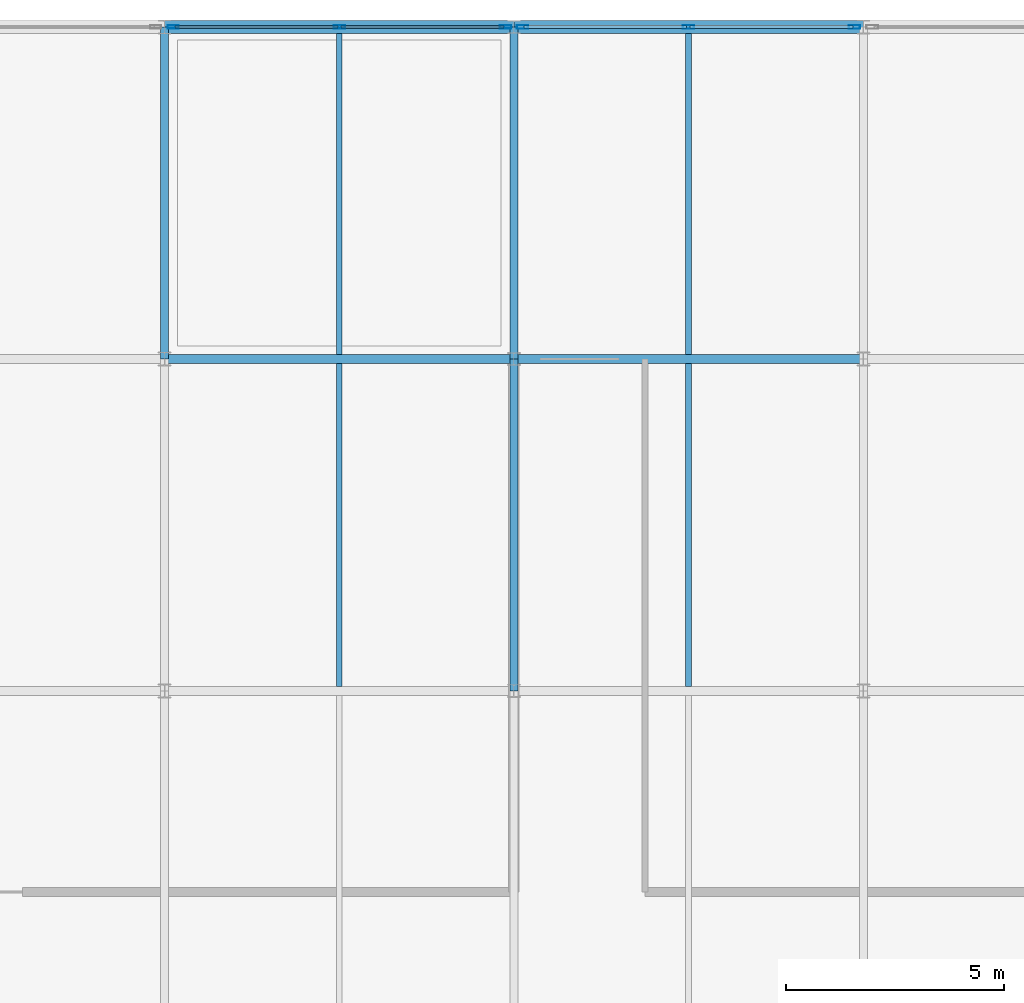
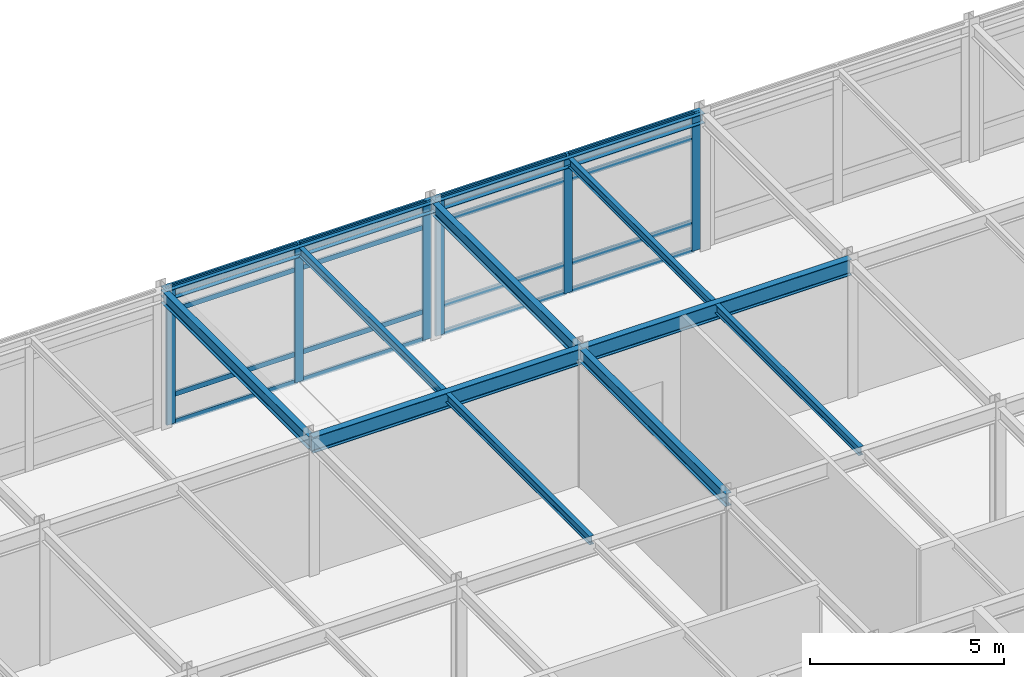
# One storey, part 5 of 12: 22 members, 11 beams, 2 elements without a shape of their own.
"""IFC4 building model written with IfcOpenShell, lengths in metres."""

import ifcopenshell
import ifcopenshell.guid

model = None  # the IFC model being written
_history = None  # IfcOwnerHistory: only IFC2X3 demands one
_inside = {}  # id of a spatial element -> (the spatial element, [elements in it])
_under = {}  # id of a project, library or spatial element -> (it, [spatial elements below it])
_declared = {}  # id of a project -> (the project, [libraries it declares])
_typed = {}  # id of a type object -> (the type object, [elements of that type])
_made_of = {}  # id of a material, layer set ... -> (it, [elements and type objects made of it])


def new_model(schema):
    """Start an empty IFC model of exactly this schema.

    Asked for "IFC4X3", IfcOpenShell would pick the latest addendum, in which some entities
    have other attributes; the version numbers below select the first issue.
    IFC2X3 requires an IfcOwnerHistory on every rooted entity: one is made here for all.
    """
    global model, _history
    if schema == "IFC4X3":
        model = ifcopenshell.file(schema_version=(4, 3, 0, 0))
    else:
        model = ifcopenshell.file(schema=schema)
    _inside.clear()
    _under.clear()
    _declared.clear()
    _typed.clear()
    _made_of.clear()
    _history = None
    if model.schema == "IFC2X3":
        org = make("IfcOrganization", Name="unknown")
        user = make(
            "IfcPersonAndOrganization",
            ThePerson=make("IfcPerson", FamilyName="unknown"),
            TheOrganization=org,
        )
        app = make(
            "IfcApplication",
            ApplicationDeveloper=org,
            Version="unknown",
            ApplicationFullName="unknown",
            ApplicationIdentifier="unknown",
        )
        _history = make(
            "IfcOwnerHistory",
            OwningUser=user,
            OwningApplication=app,
            ChangeAction="ADDED",
            CreationDate=0,
        )
    return model


def make(cls, **values):
    """One entity of the class cls with the attributes given. An attribute that is None is left unset."""
    return model.create_entity(
        cls, **{name: value for name, value in values.items() if value is not None}
    )


def rooted(cls, **values):
    """An entity with a GlobalId (a new one), such as an element, a storey or a relation."""
    return make(cls, GlobalId=ifcopenshell.guid.new(), OwnerHistory=_history, **values)


def si_unit(unit_type, name, prefix=None):
    """IfcSIUnit, for example si_unit("LENGTHUNIT", "METRE", prefix="MILLI")."""
    return make("IfcSIUnit", UnitType=unit_type, Prefix=prefix, Name=name)


def assignment(units):
    """IfcUnitAssignment: the units of a project."""
    return None if units is None else make("IfcUnitAssignment", Units=units)


def point(xyz):
    """IfcCartesianPoint."""
    return None if xyz is None else make("IfcCartesianPoint", Coordinates=xyz)


def direction(xyz):
    """IfcDirection."""
    return None if xyz is None else make("IfcDirection", DirectionRatios=xyz)


def frame(location, z_axis=None, x_axis=None):
    """IfcAxis2Placement3D, a coordinate frame: its origin and axes. An axis left out is left unset."""
    return make(
        "IfcAxis2Placement3D",
        Location=point(location),
        Axis=direction(z_axis),
        RefDirection=direction(x_axis),
    )


def frame_2d(location, x_axis=None):
    """IfcAxis2Placement2D, a coordinate frame in the plane: its origin and x axis."""
    return make(
        "IfcAxis2Placement2D", Location=point(location), RefDirection=direction(x_axis)
    )


def origin():
    """The frame at (0, 0, 0) with its axes left unset."""
    return frame((0.0, 0.0, 0.0))


def origin_2d():
    """The frame at (0, 0) in the plane with its x axis left unset."""
    return frame_2d((0.0, 0.0))


def place(relative_to, where):
    """IfcLocalPlacement: puts the frame where relative to a parent placement (None: the world)."""
    return make(
        "IfcLocalPlacement", PlacementRelTo=relative_to, RelativePlacement=where
    )


def context(
    kind, dimensions, precision=None, world=None, true_north=None, identifier=None
):
    """IfcGeometricRepresentationContext, for example the 3D "Model" context."""
    return make(
        "IfcGeometricRepresentationContext",
        ContextIdentifier=identifier,
        ContextType=kind,
        CoordinateSpaceDimension=dimensions,
        Precision=precision,
        WorldCoordinateSystem=world,
        TrueNorth=true_north,
    )


def subcontext(parent, identifier, kind, view, scale=None):
    """IfcGeometricRepresentationSubContext, for example "Body" below "Model"."""
    return make(
        "IfcGeometricRepresentationSubContext",
        ContextIdentifier=identifier,
        ContextType=kind,
        ParentContext=parent,
        TargetScale=scale,
        TargetView=view,
    )


def project(units=None, contexts=None):
    """IfcProject with its units and contexts."""
    return rooted(
        "IfcProject",
        Name="project",
        RepresentationContexts=contexts,
        UnitsInContext=assignment(units),
    )


def spatial(cls, under=None, at=None, **own):
    """A site, building, storey or space (cls), placed at a placement, below another one or the project."""
    s = rooted(cls, ObjectPlacement=at, **own)
    if under is not None:
        _under.setdefault(under.id(), (under, []))[1].append(s)
    return s


def profile(cls, at=None, kind="AREA", **sizes):
    """A parametric profile (cls). Its sizes go by their IFC names, for example OverallWidth=200.0."""
    return make(cls, ProfileType=kind, Position=at, **sizes)


def hollow_rectangle(**sizes):
    """IfcRectangleHollowProfileDef."""
    return profile("IfcRectangleHollowProfileDef", **sizes)


def i_section(**sizes):
    """IfcIShapeProfileDef."""
    return profile("IfcIShapeProfileDef", **sizes)


def extrude(swept, where, along, depth):
    """IfcExtrudedAreaSolid: the profile swept, set in the frame where, extruded along a direction by depth."""
    return make(
        "IfcExtrudedAreaSolid",
        SweptArea=swept,
        Position=where,
        ExtrudedDirection=direction(along),
        Depth=depth,
    )


def shape(context_of_items, identifier, shape_type, items):
    """IfcShapeRepresentation: the items that make up one representation, for example the "Body"."""
    return make(
        "IfcShapeRepresentation",
        ContextOfItems=context_of_items,
        RepresentationIdentifier=identifier,
        RepresentationType=shape_type,
        Items=items,
    )


def material(Name=None, Category=None):
    """IfcMaterial."""
    return make("IfcMaterial", Name=Name, Category=Category)


def layer(
    of_material, thickness, ventilated=None, Name=None, Category=None, Priority=None
):
    """IfcMaterialLayer: one layer of a wall or slab, of a material (None: an air gap)."""
    return make(
        "IfcMaterialLayer",
        Material=of_material,
        LayerThickness=thickness,
        IsVentilated=ventilated,
        Name=Name,
        Category=Category,
        Priority=Priority,
    )


def layer_set(layers, Name=None):
    """IfcMaterialLayerSet."""
    return make("IfcMaterialLayerSet", MaterialLayers=layers, LayerSetName=Name)


def material_profile(
    of_material, cross_section, Name=None, Category=None, Priority=None
):
    """IfcMaterialProfile: a cross section and its material."""
    return make(
        "IfcMaterialProfile",
        Name=Name,
        Material=of_material,
        Profile=cross_section,
        Priority=Priority,
        Category=Category,
    )


def profile_set(profiles, Name=None, composite=None):
    """IfcMaterialProfileSet."""
    return make(
        "IfcMaterialProfileSet",
        Name=Name,
        MaterialProfiles=profiles,
        CompositeProfile=composite,
    )


def made_of(thing, what):
    """Note that an element or type object is made of a material, layer set ...; save() writes the relation."""
    if what is not None:
        _made_of.setdefault(what.id(), (what, []))[1].append(thing)
    return thing


def type_object(cls, material=None, **own):
    """A type object (cls), such as IfcWallType, which elements share."""
    return made_of(rooted(cls, **own), material)


def element(
    cls,
    number,
    at=None,
    inside=None,
    cuts=None,
    type_object=None,
    material=None,
    context=None,
    identifier="Body",
    shape_type=None,
    held_by="IfcProductDefinitionShape",
    body=None,
    shapes=None,
    **own,
):
    """One element of the class cls, such as IfcWall. Its Tag is "e" and its number.

    at: its placement. inside: the storey or other place that contains it. cuts: it is an
    opening in that element (IfcRelVoidsElement). A single representation is given by context,
    identifier, shape_type and body (its items); several are given by shapes. held_by: the class
    of the entity that holds the representations. save() writes the other relations.
    """
    e = rooted(cls, Tag="e%d" % number, ObjectPlacement=at, **own)
    if body is not None:
        shapes = [shape(context, identifier, shape_type, body)]
    if shapes is not None:
        e.Representation = make(held_by, Representations=shapes)
    if inside is not None:
        _inside.setdefault(inside.id(), (inside, []))[1].append(e)
    if cuts is not None:
        rooted(
            "IfcRelVoidsElement", RelatingBuildingElement=cuts, RelatedOpeningElement=e
        )
    if type_object is not None:
        _typed.setdefault(type_object.id(), (type_object, []))[1].append(e)
    return made_of(e, material)


def aggregate(whole, parts):
    """IfcRelAggregates: a whole, such as a stair, and the parts it consists of."""
    return rooted("IfcRelAggregates", RelatingObject=whole, RelatedObjects=parts)


def save(model, path):
    """Write the relations noted so far, then the file.

    IfcRelAggregates (storeys below a building ...), IfcRelContainedInSpatialStructure (elements
    in a storey), IfcRelDefinesByType, IfcRelAssociatesMaterial and IfcRelDeclares: one each for
    every whole, place, type object, material and project.
    """
    for whole, parts in _under.values():
        aggregate(whole, parts)
    for where, things in _inside.values():
        rooted(
            "IfcRelContainedInSpatialStructure",
            RelatedElements=things,
            RelatingStructure=where,
        )
    for kind, things in _typed.values():
        rooted("IfcRelDefinesByType", RelatedObjects=things, RelatingType=kind)
    for what, things in _made_of.values():
        rooted("IfcRelAssociatesMaterial", RelatedObjects=things, RelatingMaterial=what)
    for by, libraries in _declared.values():
        rooted("IfcRelDeclares", RelatingContext=by, RelatedDefinitions=libraries)
    model.write(path)


model = new_model("IFC4")

# Units and contexts
model_context = context("Model", 3, precision=1e-05, world=origin(), true_north=direction((0.0, 1.0)))
body_context = subcontext(model_context, "Body", "Model", "MODEL_VIEW")
ifc_project = project(units=[si_unit("LENGTHUNIT", "METRE"), si_unit("AREAUNIT", "SQUARE_METRE"), si_unit("VOLUMEUNIT", "CUBIC_METRE"), si_unit("PLANEANGLEUNIT", "RADIAN"), si_unit("MASSUNIT", "GRAM", prefix="KILO")], contexts=[model_context])

# Site, building, storey
site_placement = place(None, origin())
site = spatial("IfcSite", under=ifc_project, at=site_placement, CompositionType="ELEMENT")
building_placement = place(site_placement, origin())
building = spatial("IfcBuilding", under=site, at=building_placement, Name="Shalkamar Park Central Library", CompositionType="ELEMENT")
storey_placement = place(building_placement, frame((0.0, 0.0, 67.800048828125)))
storey = spatial("IfcBuildingStorey", under=building, at=storey_placement, Name="L17", CompositionType="ELEMENT", Elevation=67.800048828125)

# Beams
ifc_material_1 = material(Name="Steel S355", Category="steel")
ifc_material_profile_1 = material_profile(ifc_material_1, i_section(OverallWidth=0.135009765625, OverallDepth=0.27001953125, WebThickness=0.006591796875, FlangeThickness=0.01025390625, FilletRadius=0.014892578125, at=origin_2d()), Name="IPE 270")
ifc_profile_set_1 = profile_set([ifc_material_profile_1], Name="Steel S355")
beam_type_1 = type_object("IfcBeamType", Name="Composite Floor Joist IPE270", PredefinedType="JOIST", material=ifc_profile_set_1)
beam_1_placement = place(storey_placement, frame((185.0, 262.89794921875, 4.1650390625), z_axis=(0.0, 1.0, 0.0), x_axis=(-1.0, 0.0, 0.0)))
element("IfcBeam", 1, at=beam_1_placement, inside=storey, type_object=beam_type_1, Name="Composite Joist 09/D-1 (L17)", PredefinedType="JOIST", context=body_context, shape_type="SweptSolid", body=[
    extrude(i_section(OverallWidth=0.135009765625, OverallDepth=0.27001953125, WebThickness=0.006591796875, FlangeThickness=0.01025390625, FilletRadius=0.014892578125, at=origin_2d()), origin(), (0.0, 0.0, 1.0), 7.404052734375),
])
beam_2_placement = place(storey_placement, frame((185.0, 270.498046875, 4.1650390625), z_axis=(0.0, 1.0, 0.0), x_axis=(-1.0, 0.0, 0.0)))
element("IfcBeam", 2, at=beam_2_placement, inside=storey, type_object=beam_type_1, Name="Composite Joist 09/E-1 (L17)", PredefinedType="JOIST", context=body_context, shape_type="SweptSolid", body=[
    extrude(i_section(OverallWidth=0.135009765625, OverallDepth=0.27001953125, WebThickness=0.006591796875, FlangeThickness=0.01025390625, FilletRadius=0.014892578125, at=origin_2d()), origin(), (0.0, 0.0, 1.0), 7.35400390625),
])
beam_3_placement = place(storey_placement, frame((193.0, 262.89794921875, 4.1650390625), z_axis=(0.0, 1.0, 0.0), x_axis=(-1.0, 0.0, 0.0)))
element("IfcBeam", 3, at=beam_3_placement, inside=storey, type_object=beam_type_1, Name="Composite Joist 10/D-1 (L17)", PredefinedType="JOIST", context=body_context, shape_type="SweptSolid", body=[
    extrude(i_section(OverallWidth=0.135009765625, OverallDepth=0.27001953125, WebThickness=0.006591796875, FlangeThickness=0.01025390625, FilletRadius=0.014892578125, at=origin_2d()), origin(), (0.0, 0.0, 1.0), 7.404052734375),
])
beam_4_placement = place(storey_placement, frame((193.0, 270.498046875, 4.1650390625), z_axis=(0.0, 1.0, 0.0), x_axis=(-1.0, 0.0, 0.0)))
element("IfcBeam", 4, at=beam_4_placement, inside=storey, type_object=beam_type_1, Name="Composite Joist 10/E-1 (L17)", PredefinedType="JOIST", context=body_context, shape_type="SweptSolid", body=[
    extrude(i_section(OverallWidth=0.135009765625, OverallDepth=0.27001953125, WebThickness=0.006591796875, FlangeThickness=0.01025390625, FilletRadius=0.014892578125, at=origin_2d()), origin(), (0.0, 0.0, 1.0), 7.35400390625),
])

# Curtain wall, members
ifc_material_2 = material(Name="Thermally broken aluminium and triple low-e curtain wall", Category="aluminium")
ifc_layer_1 = layer(ifc_material_2, 0.260009765625)
ifc_layer_set_1 = layer_set([ifc_layer_1], Name="UnitisedCurtainWall_106")
curtain_wall_type_1 = type_object("IfcCurtainWallType", Name="Unitised Curtain Wall 106", PredefinedType="USERDEFINED", material=ifc_layer_set_1)
curtain_wall_1_placement = place(storey_placement, origin())
curtain_wall_1 = element("IfcCurtainWall", 5, at=curtain_wall_1_placement, inside=storey, type_object=curtain_wall_type_1, Name="Unitised Curtain Wall CW-L17-162", ObjectType="UNITISED CURTAIN WALL", PredefinedType="USERDEFINED")
ifc_material_3 = material(Name="Aluminium 6060-T66", Category="aluminium")
ifc_material_profile_2 = material_profile(ifc_material_3, hollow_rectangle(XDim=0.074951171875, YDim=0.260009765625, WallThickness=0.00439453125, InnerFilletRadius=0.00439453125, OuterFilletRadius=0.0068359375, at=origin_2d()), Name="ALU 75x260x4.5")
ifc_profile_set_2 = profile_set([ifc_material_profile_2], Name="Aluminium 6060-T66")
member_type_1 = type_object("IfcMemberType", Name="Curtain Wall Mullion ALU75x260", PredefinedType="MULLION", material=ifc_profile_set_2)
member_1_placement = place(storey_placement, frame((181.201416015625, 278.0, 0.0), z_axis=(0.0, 0.0, 1.0), x_axis=(0.0, 1.0, 0.0)))
member_1 = element("IfcMember", 6, at=member_1_placement, type_object=member_type_1, Name="CW-106 mullion 1", PredefinedType="MULLION", context=body_context, shape_type="SweptSolid", body=[
    extrude(hollow_rectangle(XDim=0.074951171875, YDim=0.260009765625, WallThickness=0.00439453125, InnerFilletRadius=0.00439453125, OuterFilletRadius=0.0068359375, at=origin_2d()), origin(), (0.0, 0.0, 1.0), 4.300048828125),
])
member_2_placement = place(storey_placement, frame((185.0048828125, 278.0, 0.0), z_axis=(0.0, 0.0, 1.0), x_axis=(0.0, 1.0, 0.0)))
member_2 = element("IfcMember", 7, at=member_2_placement, type_object=member_type_1, Name="CW-106 mullion 2", PredefinedType="MULLION", context=body_context, shape_type="SweptSolid", body=[
    extrude(hollow_rectangle(XDim=0.074951171875, YDim=0.260009765625, WallThickness=0.00439453125, InnerFilletRadius=0.00439453125, OuterFilletRadius=0.0068359375, at=origin_2d()), origin(), (0.0, 0.0, 1.0), 4.300048828125),
])
member_3_placement = place(storey_placement, frame((188.80859375, 278.0, 0.0), z_axis=(0.0, 0.0, 1.0), x_axis=(0.0, 1.0, 0.0)))
member_3 = element("IfcMember", 8, at=member_3_placement, type_object=member_type_1, Name="CW-106 mullion 3", PredefinedType="MULLION", context=body_context, shape_type="SweptSolid", body=[
    extrude(hollow_rectangle(XDim=0.074951171875, YDim=0.260009765625, WallThickness=0.00439453125, InnerFilletRadius=0.00439453125, OuterFilletRadius=0.0068359375, at=origin_2d()), origin(), (0.0, 0.0, 1.0), 4.300048828125),
])

ifc_layer_2 = layer(ifc_material_2, 0.2548828125)
ifc_layer_set_2 = layer_set([ifc_layer_2], Name="UnitisedCurtainWall_107")
curtain_wall_type_2 = type_object("IfcCurtainWallType", Name="Unitised Curtain Wall 107", PredefinedType="USERDEFINED", material=ifc_layer_set_2)
curtain_wall_2_placement = place(storey_placement, origin())
curtain_wall_2 = element("IfcCurtainWall", 9, at=curtain_wall_2_placement, inside=storey, type_object=curtain_wall_type_2, Name="Unitised Curtain Wall CW-L17-163", ObjectType="UNITISED CURTAIN WALL", PredefinedType="USERDEFINED")
ifc_material_profile_3 = material_profile(ifc_material_3, hollow_rectangle(XDim=0.080078125, YDim=0.2548828125, WallThickness=0.00439453125, InnerFilletRadius=0.00439453125, OuterFilletRadius=0.0068359375, at=origin_2d()), Name="ALU 80x255x4.5")
ifc_profile_set_3 = profile_set([ifc_material_profile_3], Name="Aluminium 6060-T66")
member_type_2 = type_object("IfcMemberType", Name="Curtain Wall Mullion ALU80x255", PredefinedType="MULLION", material=ifc_profile_set_3)
member_4_placement = place(storey_placement, frame((189.194091796875, 278.0, 0.0), z_axis=(0.0, 0.0, 1.0), x_axis=(0.0, 1.0, 0.0)))
member_4 = element("IfcMember", 10, at=member_4_placement, type_object=member_type_2, Name="CW-107 mullion 1", PredefinedType="MULLION", context=body_context, shape_type="SweptSolid", body=[
    extrude(hollow_rectangle(XDim=0.080078125, YDim=0.2548828125, WallThickness=0.00439453125, InnerFilletRadius=0.00439453125, OuterFilletRadius=0.0068359375, at=origin_2d()), origin(), (0.0, 0.0, 1.0), 4.300048828125),
])
member_5_placement = place(storey_placement, frame((192.9951171875, 278.0, 0.0), z_axis=(0.0, 0.0, 1.0), x_axis=(0.0, 1.0, 0.0)))
member_5 = element("IfcMember", 11, at=member_5_placement, type_object=member_type_2, Name="CW-107 mullion 2", PredefinedType="MULLION", context=body_context, shape_type="SweptSolid", body=[
    extrude(hollow_rectangle(XDim=0.080078125, YDim=0.2548828125, WallThickness=0.00439453125, InnerFilletRadius=0.00439453125, OuterFilletRadius=0.0068359375, at=origin_2d()), origin(), (0.0, 0.0, 1.0), 4.300048828125),
])
member_6_placement = place(storey_placement, frame((196.7958984375, 278.0, 0.0), z_axis=(0.0, 0.0, 1.0), x_axis=(0.0, 1.0, 0.0)))
member_6 = element("IfcMember", 12, at=member_6_placement, type_object=member_type_2, Name="CW-107 mullion 3", PredefinedType="MULLION", context=body_context, shape_type="SweptSolid", body=[
    extrude(hollow_rectangle(XDim=0.080078125, YDim=0.2548828125, WallThickness=0.00439453125, InnerFilletRadius=0.00439453125, OuterFilletRadius=0.0068359375, at=origin_2d()), origin(), (0.0, 0.0, 1.0), 4.300048828125),
])

# Member
ifc_material_profile_4 = material_profile(ifc_material_3, hollow_rectangle(XDim=0.06005859375, YDim=0.1650390625, WallThickness=0.00390625, InnerFilletRadius=0.00390625, OuterFilletRadius=0.006103515625, at=origin_2d()), Name="ALU 60x165x4")
ifc_profile_set_4 = profile_set([ifc_material_profile_4], Name="Aluminium 6060-T66")
member_type_3 = type_object("IfcMemberType", Name="Curtain Wall Transom ALU60x165", PredefinedType="USERDEFINED", material=ifc_profile_set_4)
member_7_placement = place(storey_placement, frame((181.239013671875, 278.0, 0.030029296875), z_axis=(1.0, 0.0, 0.0), x_axis=(0.0, 1.0, 0.0)))
member_7 = element("IfcMember", 13, at=member_7_placement, type_object=member_type_3, Name="CW-106 transom 1.1", ObjectType="TRANSOM", PredefinedType="USERDEFINED", context=body_context, shape_type="SweptSolid", body=[
    extrude(hollow_rectangle(XDim=0.06005859375, YDim=0.1650390625, WallThickness=0.00390625, InnerFilletRadius=0.00390625, OuterFilletRadius=0.006103515625, at=origin_2d()), origin(), (0.0, 0.0, 1.0), 3.728515625),
])

member_8_placement = place(storey_placement, frame((181.239013671875, 278.0, 0.89990234375), z_axis=(1.0, 0.0, 0.0), x_axis=(0.0, 1.0, 0.0)))
member_8 = element("IfcMember", 14, at=member_8_placement, type_object=member_type_3, Name="CW-106 transom 1.2", ObjectType="TRANSOM", PredefinedType="USERDEFINED", context=body_context, shape_type="SweptSolid", body=[
    extrude(hollow_rectangle(XDim=0.06005859375, YDim=0.1650390625, WallThickness=0.00390625, InnerFilletRadius=0.00390625, OuterFilletRadius=0.006103515625, at=origin_2d()), origin(), (0.0, 0.0, 1.0), 3.728515625),
])

member_9_placement = place(storey_placement, frame((181.239013671875, 278.0, 3.550048828125), z_axis=(1.0, 0.0, 0.0), x_axis=(0.0, 1.0, 0.0)))
member_9 = element("IfcMember", 15, at=member_9_placement, type_object=member_type_3, Name="CW-106 transom 1.3", ObjectType="TRANSOM", PredefinedType="USERDEFINED", context=body_context, shape_type="SweptSolid", body=[
    extrude(hollow_rectangle(XDim=0.06005859375, YDim=0.1650390625, WallThickness=0.00390625, InnerFilletRadius=0.00390625, OuterFilletRadius=0.006103515625, at=origin_2d()), origin(), (0.0, 0.0, 1.0), 3.728515625),
])

member_10_placement = place(storey_placement, frame((181.239013671875, 278.0, 4.27001953125), z_axis=(1.0, 0.0, 0.0), x_axis=(0.0, 1.0, 0.0)))
member_10 = element("IfcMember", 16, at=member_10_placement, type_object=member_type_3, Name="CW-106 transom 1.4", ObjectType="TRANSOM", PredefinedType="USERDEFINED", context=body_context, shape_type="SweptSolid", body=[
    extrude(hollow_rectangle(XDim=0.06005859375, YDim=0.1650390625, WallThickness=0.00390625, InnerFilletRadius=0.00390625, OuterFilletRadius=0.006103515625, at=origin_2d()), origin(), (0.0, 0.0, 1.0), 3.728515625),
])

member_11_placement = place(storey_placement, frame((185.04248046875, 278.0, 0.030029296875), z_axis=(1.0, 0.0, 0.0), x_axis=(0.0, 1.0, 0.0)))
member_11 = element("IfcMember", 17, at=member_11_placement, type_object=member_type_3, Name="CW-106 transom 2.1", ObjectType="TRANSOM", PredefinedType="USERDEFINED", context=body_context, shape_type="SweptSolid", body=[
    extrude(hollow_rectangle(XDim=0.06005859375, YDim=0.1650390625, WallThickness=0.00390625, InnerFilletRadius=0.00390625, OuterFilletRadius=0.006103515625, at=origin_2d()), origin(), (0.0, 0.0, 1.0), 3.728515625),
])

member_12_placement = place(storey_placement, frame((185.04248046875, 278.0, 0.89990234375), z_axis=(1.0, 0.0, 0.0), x_axis=(0.0, 1.0, 0.0)))
member_12 = element("IfcMember", 18, at=member_12_placement, type_object=member_type_3, Name="CW-106 transom 2.2", ObjectType="TRANSOM", PredefinedType="USERDEFINED", context=body_context, shape_type="SweptSolid", body=[
    extrude(hollow_rectangle(XDim=0.06005859375, YDim=0.1650390625, WallThickness=0.00390625, InnerFilletRadius=0.00390625, OuterFilletRadius=0.006103515625, at=origin_2d()), origin(), (0.0, 0.0, 1.0), 3.728515625),
])

member_13_placement = place(storey_placement, frame((185.04248046875, 278.0, 3.550048828125), z_axis=(1.0, 0.0, 0.0), x_axis=(0.0, 1.0, 0.0)))
member_13 = element("IfcMember", 19, at=member_13_placement, type_object=member_type_3, Name="CW-106 transom 2.3", ObjectType="TRANSOM", PredefinedType="USERDEFINED", context=body_context, shape_type="SweptSolid", body=[
    extrude(hollow_rectangle(XDim=0.06005859375, YDim=0.1650390625, WallThickness=0.00390625, InnerFilletRadius=0.00390625, OuterFilletRadius=0.006103515625, at=origin_2d()), origin(), (0.0, 0.0, 1.0), 3.728515625),
])

member_14_placement = place(storey_placement, frame((185.04248046875, 278.0, 4.27001953125), z_axis=(1.0, 0.0, 0.0), x_axis=(0.0, 1.0, 0.0)))
member_14 = element("IfcMember", 20, at=member_14_placement, type_object=member_type_3, Name="CW-106 transom 2.4", ObjectType="TRANSOM", PredefinedType="USERDEFINED", context=body_context, shape_type="SweptSolid", body=[
    extrude(hollow_rectangle(XDim=0.06005859375, YDim=0.1650390625, WallThickness=0.00390625, InnerFilletRadius=0.00390625, OuterFilletRadius=0.006103515625, at=origin_2d()), origin(), (0.0, 0.0, 1.0), 3.728515625),
])

aggregate(curtain_wall_1, [member_1, member_2, member_3, member_7, member_8, member_9, member_10, member_11, member_12, member_13, member_14])

ifc_material_profile_5 = material_profile(ifc_material_3, hollow_rectangle(XDim=0.06494140625, YDim=0.169921875, WallThickness=0.00390625, InnerFilletRadius=0.00390625, OuterFilletRadius=0.006103515625, at=origin_2d()), Name="ALU 65x170x4")
ifc_profile_set_5 = profile_set([ifc_material_profile_5], Name="Aluminium 6060-T66")
member_type_4 = type_object("IfcMemberType", Name="Curtain Wall Transom ALU65x170", PredefinedType="USERDEFINED", material=ifc_profile_set_5)
member_15_placement = place(storey_placement, frame((189.23388671875, 278.0, 0.032470703125), z_axis=(1.0, 0.0, 0.0), x_axis=(0.0, 1.0, 0.0)))
member_15 = element("IfcMember", 21, at=member_15_placement, type_object=member_type_4, Name="CW-107 transom 1.1", ObjectType="TRANSOM", PredefinedType="USERDEFINED", context=body_context, shape_type="SweptSolid", body=[
    extrude(hollow_rectangle(XDim=0.06494140625, YDim=0.169921875, WallThickness=0.00390625, InnerFilletRadius=0.00390625, OuterFilletRadius=0.006103515625, at=origin_2d()), origin(), (0.0, 0.0, 1.0), 3.72119140625),
])

member_16_placement = place(storey_placement, frame((189.23388671875, 278.0, 0.89990234375), z_axis=(1.0, 0.0, 0.0), x_axis=(0.0, 1.0, 0.0)))
member_16 = element("IfcMember", 22, at=member_16_placement, type_object=member_type_4, Name="CW-107 transom 1.2", ObjectType="TRANSOM", PredefinedType="USERDEFINED", context=body_context, shape_type="SweptSolid", body=[
    extrude(hollow_rectangle(XDim=0.06494140625, YDim=0.169921875, WallThickness=0.00390625, InnerFilletRadius=0.00390625, OuterFilletRadius=0.006103515625, at=origin_2d()), origin(), (0.0, 0.0, 1.0), 3.72119140625),
])

member_17_placement = place(storey_placement, frame((189.23388671875, 278.0, 3.550048828125), z_axis=(1.0, 0.0, 0.0), x_axis=(0.0, 1.0, 0.0)))
member_17 = element("IfcMember", 23, at=member_17_placement, type_object=member_type_4, Name="CW-107 transom 1.3", ObjectType="TRANSOM", PredefinedType="USERDEFINED", context=body_context, shape_type="SweptSolid", body=[
    extrude(hollow_rectangle(XDim=0.06494140625, YDim=0.169921875, WallThickness=0.00390625, InnerFilletRadius=0.00390625, OuterFilletRadius=0.006103515625, at=origin_2d()), origin(), (0.0, 0.0, 1.0), 3.72119140625),
])

member_18_placement = place(storey_placement, frame((189.23388671875, 278.0, 4.267333984375), z_axis=(1.0, 0.0, 0.0), x_axis=(0.0, 1.0, 0.0)))
member_18 = element("IfcMember", 24, at=member_18_placement, type_object=member_type_4, Name="CW-107 transom 1.4", ObjectType="TRANSOM", PredefinedType="USERDEFINED", context=body_context, shape_type="SweptSolid", body=[
    extrude(hollow_rectangle(XDim=0.06494140625, YDim=0.169921875, WallThickness=0.00390625, InnerFilletRadius=0.00390625, OuterFilletRadius=0.006103515625, at=origin_2d()), origin(), (0.0, 0.0, 1.0), 3.72119140625),
])

member_19_placement = place(storey_placement, frame((193.034912109375, 278.0, 0.032470703125), z_axis=(1.0, 0.0, 0.0), x_axis=(0.0, 1.0, 0.0)))
member_19 = element("IfcMember", 25, at=member_19_placement, type_object=member_type_4, Name="CW-107 transom 2.1", ObjectType="TRANSOM", PredefinedType="USERDEFINED", context=body_context, shape_type="SweptSolid", body=[
    extrude(hollow_rectangle(XDim=0.06494140625, YDim=0.169921875, WallThickness=0.00390625, InnerFilletRadius=0.00390625, OuterFilletRadius=0.006103515625, at=origin_2d()), origin(), (0.0, 0.0, 1.0), 3.72119140625),
])

member_20_placement = place(storey_placement, frame((193.034912109375, 278.0, 0.89990234375), z_axis=(1.0, 0.0, 0.0), x_axis=(0.0, 1.0, 0.0)))
member_20 = element("IfcMember", 26, at=member_20_placement, type_object=member_type_4, Name="CW-107 transom 2.2", ObjectType="TRANSOM", PredefinedType="USERDEFINED", context=body_context, shape_type="SweptSolid", body=[
    extrude(hollow_rectangle(XDim=0.06494140625, YDim=0.169921875, WallThickness=0.00390625, InnerFilletRadius=0.00390625, OuterFilletRadius=0.006103515625, at=origin_2d()), origin(), (0.0, 0.0, 1.0), 3.72119140625),
])

member_21_placement = place(storey_placement, frame((193.034912109375, 278.0, 3.550048828125), z_axis=(1.0, 0.0, 0.0), x_axis=(0.0, 1.0, 0.0)))
member_21 = element("IfcMember", 27, at=member_21_placement, type_object=member_type_4, Name="CW-107 transom 2.3", ObjectType="TRANSOM", PredefinedType="USERDEFINED", context=body_context, shape_type="SweptSolid", body=[
    extrude(hollow_rectangle(XDim=0.06494140625, YDim=0.169921875, WallThickness=0.00390625, InnerFilletRadius=0.00390625, OuterFilletRadius=0.006103515625, at=origin_2d()), origin(), (0.0, 0.0, 1.0), 3.72119140625),
])

member_22_placement = place(storey_placement, frame((193.034912109375, 278.0, 4.267333984375), z_axis=(1.0, 0.0, 0.0), x_axis=(0.0, 1.0, 0.0)))
member_22 = element("IfcMember", 28, at=member_22_placement, type_object=member_type_4, Name="CW-107 transom 2.4", ObjectType="TRANSOM", PredefinedType="USERDEFINED", context=body_context, shape_type="SweptSolid", body=[
    extrude(hollow_rectangle(XDim=0.06494140625, YDim=0.169921875, WallThickness=0.00390625, InnerFilletRadius=0.00390625, OuterFilletRadius=0.006103515625, at=origin_2d()), origin(), (0.0, 0.0, 1.0), 3.72119140625),
])

aggregate(curtain_wall_2, [member_4, member_5, member_6, member_15, member_16, member_17, member_18, member_19, member_20, member_21, member_22])

# Beams
ifc_material_profile_6 = material_profile(ifc_material_1, i_section(OverallWidth=0.300048828125, OverallDepth=0.31005859375, WebThickness=0.009033203125, FlangeThickness=0.015380859375, FilletRadius=0.027099609375, at=origin_2d()), Name="HEA 320")
ifc_profile_set_6 = profile_set([ifc_material_profile_6], Name="Steel S355")
beam_type_2 = type_object("IfcBeamType", Name="Perimeter Spandrel Beam HEA320", PredefinedType="SPANDREL", material=ifc_profile_set_6)
for number, where, z_axis, x_axis, name in (
    (29, (181.0, 278.0, 4.14501953125), (1.0, 0.0, 0.0), (0.0, 1.0, 0.0), "Beam F:09-10 (L17)"),
    (30, (189.0, 278.0, 4.14501953125), (1.0, 0.0, 0.0), (0.0, 1.0, 0.0), "Beam F:10-11 (L17)"),
):
    element("IfcBeam", number, at=place(storey_placement, frame(where, z_axis=z_axis, x_axis=x_axis)), inside=storey, type_object=beam_type_2, Name=name, PredefinedType="SPANDREL", context=body_context, shape_type="SweptSolid", body=[
        extrude(i_section(OverallWidth=0.300048828125, OverallDepth=0.31005859375, WebThickness=0.009033203125, FlangeThickness=0.015380859375, FilletRadius=0.027099609375, at=origin_2d()), origin(), (0.0, 0.0, 1.0), 8.0),
    ])
ifc_material_profile_7 = material_profile(ifc_material_1, i_section(OverallWidth=0.179931640625, OverallDepth=0.39990234375, WebThickness=0.008544921875, FlangeThickness=0.013427734375, FilletRadius=0.02099609375, at=origin_2d()), Name="IPE 400")
ifc_profile_set_7 = profile_set([ifc_material_profile_7], Name="Steel S355")
beam_type_3 = type_object("IfcBeamType", Name="Primary Girder IPE400", PredefinedType="BEAM", material=ifc_profile_set_7)
beam_5_placement = place(storey_placement, frame((181.0, 270.39990234375, 4.099853515625), z_axis=(0.0, 1.0, 0.0), x_axis=(-1.0, 0.0, 0.0)))
element("IfcBeam", 31, at=beam_5_placement, inside=storey, type_object=beam_type_3, Name="Beam 09:E-F (L17)", PredefinedType="BEAM", context=body_context, shape_type="SweptSolid", body=[
    extrude(i_section(OverallWidth=0.179931640625, OverallDepth=0.39990234375, WebThickness=0.008544921875, FlangeThickness=0.013427734375, FilletRadius=0.02099609375, at=origin_2d()), origin(), (0.0, 0.0, 1.0), 7.60009765625),
])
beam_6_placement = place(storey_placement, frame((189.0, 262.800048828125, 4.099853515625), z_axis=(0.0, 1.0, 0.0), x_axis=(-1.0, 0.0, 0.0)))
element("IfcBeam", 32, at=beam_6_placement, inside=storey, type_object=beam_type_3, Name="Beam 10:D-E (L17)", PredefinedType="BEAM", context=body_context, shape_type="SweptSolid", body=[
    extrude(i_section(OverallWidth=0.179931640625, OverallDepth=0.39990234375, WebThickness=0.008544921875, FlangeThickness=0.013427734375, FilletRadius=0.02099609375, at=origin_2d()), origin(), (0.0, 0.0, 1.0), 7.599853515625),
])
beam_7_placement = place(storey_placement, frame((189.0, 270.39990234375, 4.099853515625), z_axis=(0.0, 1.0, 0.0), x_axis=(-1.0, 0.0, 0.0)))
element("IfcBeam", 33, at=beam_7_placement, inside=storey, type_object=beam_type_3, Name="Beam 10:E-F (L17)", PredefinedType="BEAM", context=body_context, shape_type="SweptSolid", body=[
    extrude(i_section(OverallWidth=0.179931640625, OverallDepth=0.39990234375, WebThickness=0.008544921875, FlangeThickness=0.013427734375, FilletRadius=0.02099609375, at=origin_2d()), origin(), (0.0, 0.0, 1.0), 7.60009765625),
])
ifc_material_profile_8 = material_profile(ifc_material_1, i_section(OverallWidth=0.199951171875, OverallDepth=0.5, WebThickness=0.01025390625, FlangeThickness=0.01611328125, FilletRadius=0.02099609375, at=origin_2d()), Name="IPE 500")
ifc_profile_set_8 = profile_set([ifc_material_profile_8], Name="Steel S355")
beam_type_4 = type_object("IfcBeamType", Name="Primary Girder IPE500", PredefinedType="BEAM", material=ifc_profile_set_8)
for number, where, z_axis, x_axis, name in (
    (34, (181.0, 270.39990234375, 4.050048828125), (1.0, 0.0, 0.0), (0.0, 1.0, 0.0), "Beam E:09-10 (L17)"),
    (35, (189.0, 270.39990234375, 4.050048828125), (1.0, 0.0, 0.0), (0.0, 1.0, 0.0), "Beam E:10-11 (L17)"),
):
    element("IfcBeam", number, at=place(storey_placement, frame(where, z_axis=z_axis, x_axis=x_axis)), inside=storey, type_object=beam_type_4, Name=name, PredefinedType="BEAM", context=body_context, shape_type="SweptSolid", body=[
        extrude(i_section(OverallWidth=0.199951171875, OverallDepth=0.5, WebThickness=0.01025390625, FlangeThickness=0.01611328125, FilletRadius=0.02099609375, at=origin_2d()), origin(), (0.0, 0.0, 1.0), 8.0),
    ])

save(model, "model.ifc")
